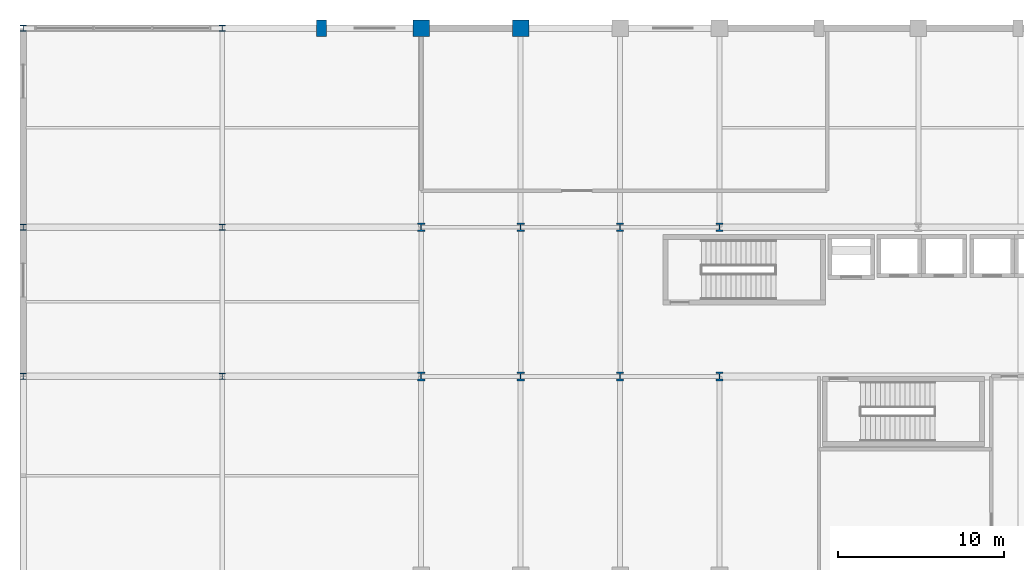
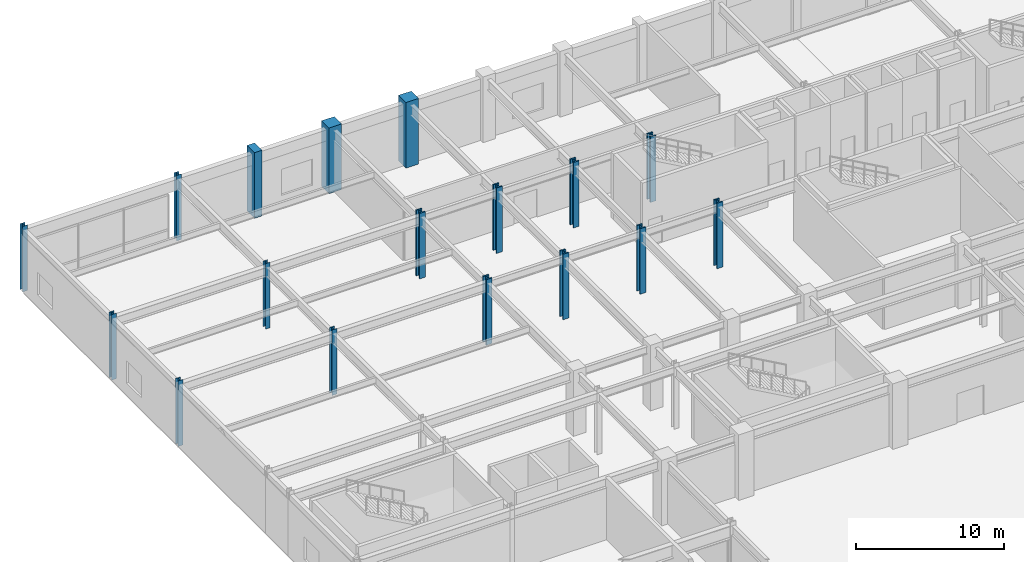
# One storey, part 9 of 100: 17 columns.
"""IFC4 building model written with IfcOpenShell, lengths in metres."""

from ifc_helpers import new_model, si_unit, direction, frame, origin, origin_2d, place, context, subcontext, project, spatial, rectangle, i_section, extrude, material, material_profile, profile_set, type_object, element, save


model = new_model("IFC4")

# Units and contexts
model_context = context("Model", 3, precision=1e-05, world=origin(), true_north=direction((0.0, 1.0)))
body_context = subcontext(model_context, "Body", "Model", "MODEL_VIEW")
ifc_project = project(units=[si_unit("LENGTHUNIT", "METRE"), si_unit("AREAUNIT", "SQUARE_METRE"), si_unit("VOLUMEUNIT", "CUBIC_METRE"), si_unit("PLANEANGLEUNIT", "RADIAN"), si_unit("MASSUNIT", "GRAM", prefix="KILO")], contexts=[model_context])

# Site, building, storey
site_placement = place(None, origin())
site = spatial("IfcSite", under=ifc_project, at=site_placement, CompositionType="ELEMENT")
building_placement = place(site_placement, origin())
building = spatial("IfcBuilding", under=site, at=building_placement, Name="Kaldorvane Square Convention Centre", CompositionType="ELEMENT")
storey_placement = place(building_placement, frame((0.0, 0.0, 18.0)))
storey = spatial("IfcBuildingStorey", under=building, at=storey_placement, Name="L03", CompositionType="ELEMENT", Elevation=18.0)

# Columns
ifc_material_1 = material(Name="Concrete f'c = 55 MPa (Normalweight)", Category="concrete")
ifc_material_profile_1 = material_profile(ifc_material_1, rectangle(XDim=1.0, YDim=1.0, at=origin_2d()), Name="RC1000X1000")
ifc_profile_set_1 = profile_set([ifc_material_profile_1], Name="Concrete f'c = 55 MPa (Normalweight)")
column_type_1 = type_object("IfcColumnType", Name="COL-RC-1000", PredefinedType="COLUMN", material=ifc_profile_set_1)
for number, where, z_axis, x_axis, name in (
    (1, (24.0, 117.0, 0.0), (0.0, 0.0, 1.0), (1.0, 0.0, 0.0), "Column CC-02 (L03)"),
    (2, (30.0, 117.0, 0.0), (0.0, 0.0, 1.0), (1.0, 0.0, 0.0), "Column CC-02 (L03)"),
):
    element("IfcColumn", number, at=place(storey_placement, frame(where, z_axis=z_axis, x_axis=x_axis)), inside=storey, type_object=column_type_1, Name=name, PredefinedType="COLUMN", context=body_context, shape_type="SweptSolid", body=[
        extrude(rectangle(XDim=1.0, YDim=1.0, at=origin_2d()), origin(), (0.0, 0.0, 1.0), 5.399993896484375),
    ])
ifc_material_2 = material(Name="Steel ASTM A992 Gr. 50", Category="steel")
ifc_material_profile_2 = material_profile(ifc_material_2, i_section(OverallWidth=0.4420013427734375, OverallDepth=0.531402587890625, WebThickness=0.0657958984375, FlangeThickness=0.1056976318359375, FilletRadius=0.0305023193359375, at=origin_2d()), Name="W14X605")
ifc_profile_set_2 = profile_set([ifc_material_profile_2], Name="Steel ASTM A992 Gr. 50")
column_type_2 = type_object("IfcColumnType", Name="COL-STL-605", PredefinedType="COLUMN", material=ifc_profile_set_2)
for number, where, z_axis, x_axis, name in (
    (3, (24.0, 96.0, 0.0), (0.0, 0.0, 1.0), (1.0, 0.0, 0.0), "Column SC-02 (L03)"),
    (4, (24.0, 105.0, 0.0), (0.0, 0.0, 1.0), (1.0, 0.0, 0.0), "Column SC-02 (L03)"),
    (5, (30.0, 96.0, 0.0), (0.0, 0.0, 1.0), (1.0, 0.0, 0.0), "Column SC-02 (L03)"),
    (6, (30.0, 105.0, 0.0), (0.0, 0.0, 1.0), (1.0, 0.0, 0.0), "Column SC-02 (L03)"),
    (7, (36.0, 96.0, 0.0), (0.0, 0.0, 1.0), (1.0, 0.0, 0.0), "Column SC-02 (L03)"),
    (8, (36.0, 105.0, 0.0), (0.0, 0.0, 1.0), (1.0, 0.0, 0.0), "Column SC-02 (L03)"),
    (9, (42.0, 96.0, 0.0), (0.0, 0.0, 1.0), (1.0, 0.0, 0.0), "Column SC-02 (L03)"),
    (10, (42.0, 105.0, 0.0), (0.0, 0.0, 1.0), (1.0, 0.0, 0.0), "Column SC-02 (L03)"),
):
    element("IfcColumn", number, at=place(storey_placement, frame(where, z_axis=z_axis, x_axis=x_axis)), inside=storey, type_object=column_type_2, Name=name, PredefinedType="COLUMN", context=body_context, shape_type="SweptSolid", body=[
        extrude(i_section(OverallWidth=0.4420013427734375, OverallDepth=0.531402587890625, WebThickness=0.0657958984375, FlangeThickness=0.1056976318359375, FilletRadius=0.0305023193359375, at=origin_2d()), origin(), (0.0, 0.0, 1.0), 5.399993896484375),
    ])
ifc_material_profile_3 = material_profile(ifc_material_2, i_section(OverallWidth=0.3701019287109375, OverallDepth=0.360198974609375, WebThickness=0.012298583984375, FlangeThickness=0.019805908203125, FilletRadius=0.0305023193359375, at=origin_2d()), Name="W14X99")
ifc_profile_set_3 = profile_set([ifc_material_profile_3], Name="Steel ASTM A992 Gr. 50")
column_type_3 = type_object("IfcColumnType", Name="COL-STL-99", PredefinedType="COLUMN", material=ifc_profile_set_3)
for number, where, z_axis, x_axis, name in (
    (11, (0.0, 96.0, 0.0), (0.0, 0.0, 1.0), (1.0, 0.0, 0.0), "Column SC-12 (L03)"),
    (12, (0.0, 105.0, 0.0), (0.0, 0.0, 1.0), (1.0, 0.0, 0.0), "Column SC-12 (L03)"),
    (13, (0.0, 117.0, 0.0), (0.0, 0.0, 1.0), (1.0, 0.0, 0.0), "Column SC-12 (L03)"),
    (14, (12.0, 96.0, 0.0), (0.0, 0.0, 1.0), (1.0, 0.0, 0.0), "Column SC-12 (L03)"),
    (15, (12.0, 105.0, 0.0), (0.0, 0.0, 1.0), (1.0, 0.0, 0.0), "Column SC-12 (L03)"),
    (16, (12.0, 117.0, 0.0), (0.0, 0.0, 1.0), (1.0, 0.0, 0.0), "Column SC-12 (L03)"),
):
    element("IfcColumn", number, at=place(storey_placement, frame(where, z_axis=z_axis, x_axis=x_axis)), inside=storey, type_object=column_type_3, Name=name, PredefinedType="COLUMN", context=body_context, shape_type="SweptSolid", body=[
        extrude(i_section(OverallWidth=0.3701019287109375, OverallDepth=0.360198974609375, WebThickness=0.012298583984375, FlangeThickness=0.019805908203125, FilletRadius=0.0305023193359375, at=origin_2d()), origin(), (0.0, 0.0, 1.0), 5.399993896484375),
    ])
ifc_material_profile_4 = material_profile(ifc_material_1, rectangle(XDim=0.600006103515625, YDim=1.0, at=origin_2d()), Name="PIL1000X600")
ifc_profile_set_4 = profile_set([ifc_material_profile_4], Name="Concrete f'c = 55 MPa (Normalweight)")
column_type_4 = type_object("IfcColumnType", Name="PIL-BRUT-1000", PredefinedType="PILASTER", material=ifc_profile_set_4)
column_placement = place(storey_placement, frame((18.0, 117.0, 0.0), z_axis=(0.0, 0.0, 1.0), x_axis=(1.0, 0.0, 0.0)))
element("IfcColumn", 17, at=column_placement, inside=storey, type_object=column_type_4, Name="Brutalist Colonnade Pilaster (L03)", PredefinedType="PILASTER", context=body_context, shape_type="SweptSolid", body=[
    extrude(rectangle(XDim=0.600006103515625, YDim=1.0, at=origin_2d()), origin(), (0.0, 0.0, 1.0), 5.399993896484375),
])

save(model, "model.ifc")
